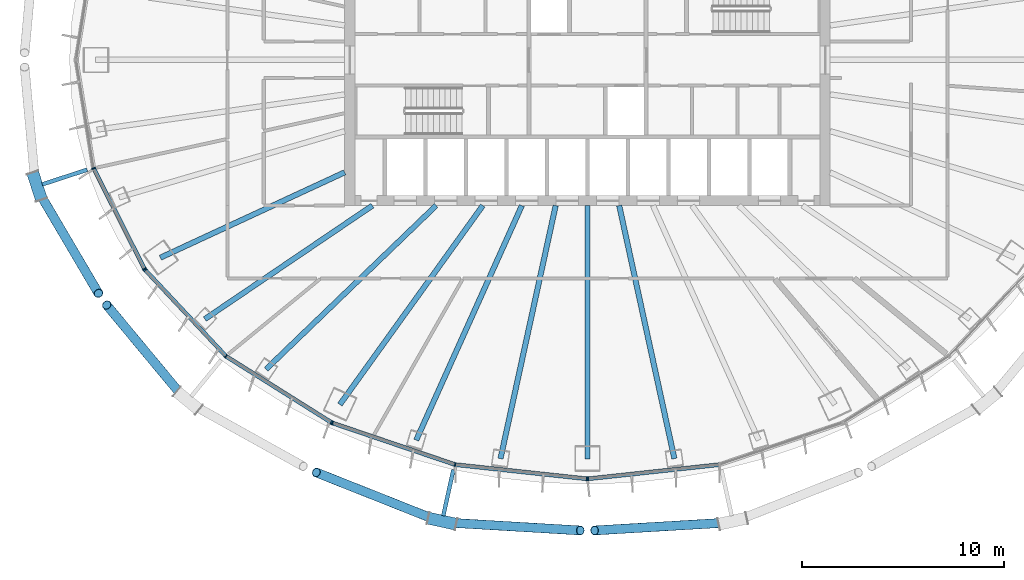
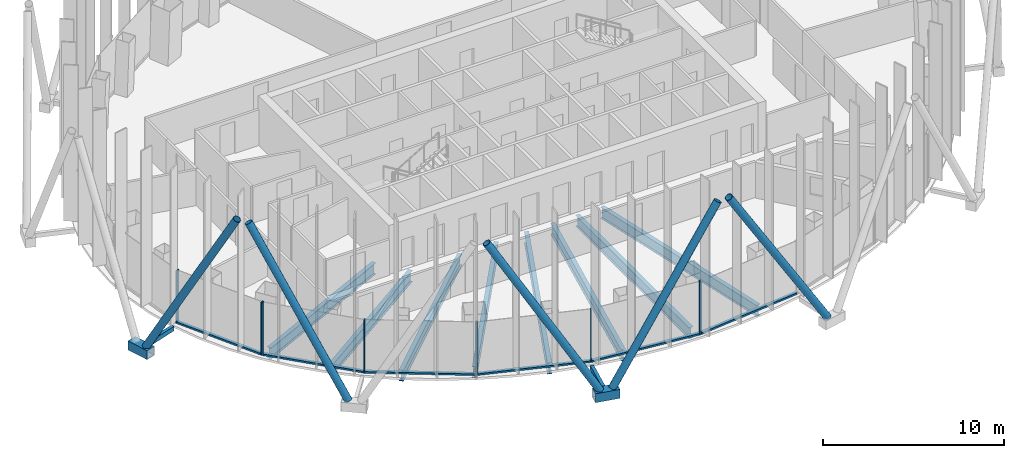
# One storey, part 2 of 19: 24 members, 8 beams, 4 elements without a shape of their own.
"""IFC4 building model written with IfcOpenShell, lengths in metres."""

from ifc_helpers import new_model, si_unit, direction, frame, origin, origin_2d, place, context, subcontext, project, spatial, rectangle, hollow_rectangle, hollow_circle, i_section, extrude, material, layer, layer_set, material_profile, profile_set, type_object, element, aggregate, save


model = new_model("IFC4")

# Units and contexts
model_context = context("Model", 3, precision=1e-05, world=origin(), true_north=direction((0.0, 1.0)))
body_context = subcontext(model_context, "Body", "Model", "MODEL_VIEW")
ifc_project = project(units=[si_unit("LENGTHUNIT", "METRE"), si_unit("AREAUNIT", "SQUARE_METRE"), si_unit("VOLUMEUNIT", "CUBIC_METRE"), si_unit("PLANEANGLEUNIT", "RADIAN"), si_unit("MASSUNIT", "GRAM", prefix="KILO")], contexts=[model_context])

# Site, building, storey
site_placement = place(None, origin())
site = spatial("IfcSite", under=ifc_project, at=site_placement, CompositionType="ELEMENT")
building_placement = place(site_placement, origin())
building = spatial("IfcBuilding", under=site, at=building_placement, Name="Siaravel Broadcast Tower", CompositionType="ELEMENT")
storey_placement = place(building_placement, frame((0.0, 0.0, 119.300048828125)))
storey = spatial("IfcBuildingStorey", under=building, at=storey_placement, Name="L28", CompositionType="ELEMENT", Elevation=119.300048828125)

# Beams
ifc_material_1 = material(Name="Steel S355", Category="steel")
ifc_material_profile_1 = material_profile(ifc_material_1, i_section(OverallWidth=0.26513671875, OverallDepth=0.75390625, WebThickness=0.0126953125, FlangeThickness=0.017578125, FilletRadius=0.0166015625, at=origin_2d()))
ifc_profile_set_1 = profile_set([ifc_material_profile_1], Name="Steel S355")
beam_type = type_object("IfcBeamType", Name="BM-UB 762x267x147", PredefinedType="BEAM", material=ifc_profile_set_1)
beam_1_placement = place(storey_placement, frame((-21.109375, -9.7744140625, -0.527099609375), z_axis=(0.907439776, 0.420182167, 0.0), x_axis=(-0.420182167, 0.907439776, 0.0)))
element("IfcBeam", 1, at=beam_1_placement, inside=storey, type_object=beam_type, Name="Radial beam RB22", PredefinedType="BEAM", context=body_context, shape_type="SweptSolid", body=[
    extrude(i_section(OverallWidth=0.26513671875, OverallDepth=0.75390625, WebThickness=0.0126953125, FlangeThickness=0.017578125, FilletRadius=0.0166015625, at=origin_2d()), origin(), (0.0, 0.0, 1.0), 10.03857421875),
])
beam_2_placement = place(storey_placement, frame((-18.90869140625, -12.80810546875, -0.527099609375), z_axis=(0.827929661, 0.56083195, 0.0), x_axis=(-0.56083195, 0.827929661, 0.0)))
element("IfcBeam", 2, at=beam_2_placement, inside=storey, type_object=beam_type, Name="Radial beam RB23", PredefinedType="BEAM", context=body_context, shape_type="SweptSolid", body=[
    extrude(i_section(OverallWidth=0.26513671875, OverallDepth=0.75390625, WebThickness=0.0126953125, FlangeThickness=0.017578125, FilletRadius=0.0166015625, at=origin_2d()), origin(), (0.0, 0.0, 1.0), 9.999755859375),
])
beam_3_placement = place(storey_placement, frame((-15.882080078125, -15.286865234375, -0.527099609375), z_axis=(0.720471293, 0.693484762, 0.0), x_axis=(-0.693484762, 0.720471293, 0.0)))
element("IfcBeam", 3, at=beam_3_placement, inside=storey, type_object=beam_type, Name="Radial beam RB24", PredefinedType="BEAM", context=body_context, shape_type="SweptSolid", body=[
    extrude(i_section(OverallWidth=0.26513671875, OverallDepth=0.75390625, WebThickness=0.0126953125, FlangeThickness=0.017578125, FilletRadius=0.0166015625, at=origin_2d()), origin(), (0.0, 0.0, 1.0), 11.661376953125),
])
beam_4_placement = place(storey_placement, frame((-12.236328125, -17.032958984375, -0.527099609375), z_axis=(0.583444902, 0.812152723, 0.0), x_axis=(-0.812152723, 0.583444902, 0.0)))
element("IfcBeam", 4, at=beam_4_placement, inside=storey, type_object=beam_type, Name="Radial beam RB25", PredefinedType="BEAM", context=body_context, shape_type="SweptSolid", body=[
    extrude(i_section(OverallWidth=0.26513671875, OverallDepth=0.75390625, WebThickness=0.0126953125, FlangeThickness=0.017578125, FilletRadius=0.0166015625, at=origin_2d()), origin(), (0.0, 0.0, 1.0), 12.107421875),
])
beam_5_placement = place(storey_placement, frame((-8.46337890625, -18.794189453125, -0.527099609375), z_axis=(0.410612147, 0.911810103, 0.0), x_axis=(-0.911810103, 0.410612147, 0.0)))
element("IfcBeam", 5, at=beam_5_placement, inside=storey, type_object=beam_type, Name="Radial beam RB26", PredefinedType="BEAM", context=body_context, shape_type="SweptSolid", body=[
    extrude(i_section(OverallWidth=0.26513671875, OverallDepth=0.75390625, WebThickness=0.0126953125, FlangeThickness=0.017578125, FilletRadius=0.0166015625, at=origin_2d()), origin(), (0.0, 0.0, 1.0), 12.715576171875),
])
beam_6_placement = place(storey_placement, frame((-4.298583984375, -19.708251953125, -0.527099609375), z_axis=(0.213106507, 0.977028974, 0.0), x_axis=(-0.977028974, 0.213106507, 0.0)))
element("IfcBeam", 6, at=beam_6_placement, inside=storey, type_object=beam_type, Name="Radial beam RB27", PredefinedType="BEAM", context=body_context, shape_type="SweptSolid", body=[
    extrude(i_section(OverallWidth=0.26513671875, OverallDepth=0.75390625, WebThickness=0.0126953125, FlangeThickness=0.017578125, FilletRadius=0.0166015625, at=origin_2d()), origin(), (0.0, 0.0, 1.0), 12.802490234375),
])
beam_7_placement = place(storey_placement, frame((0.0, -19.71630859375, -0.527099609375), z_axis=(0.0, 1.0, 0.0), x_axis=(-1.0, 0.0, 0.0)))
element("IfcBeam", 7, at=beam_7_placement, inside=storey, type_object=beam_type, Name="Radial beam RB28", PredefinedType="BEAM", context=body_context, shape_type="SweptSolid", body=[
    extrude(i_section(OverallWidth=0.26513671875, OverallDepth=0.75390625, WebThickness=0.0126953125, FlangeThickness=0.017578125, FilletRadius=0.0166015625, at=origin_2d()), origin(), (0.0, 0.0, 1.0), 12.516357421875),
])
beam_8_placement = place(storey_placement, frame((4.298583984375, -19.708251953125, -0.527099609375), z_axis=(-0.213106507, 0.977028974, 0.0), x_axis=(-0.977028974, -0.213106507, 0.0)))
element("IfcBeam", 8, at=beam_8_placement, inside=storey, type_object=beam_type, Name="Radial beam RB29", PredefinedType="BEAM", context=body_context, shape_type="SweptSolid", body=[
    extrude(i_section(OverallWidth=0.26513671875, OverallDepth=0.75390625, WebThickness=0.0126953125, FlangeThickness=0.017578125, FilletRadius=0.0166015625, at=origin_2d()), origin(), (0.0, 0.0, 1.0), 12.802490234375),
])

# Curtain wall, members
ifc_material_2 = material(Name="Aluminium 6063-T6", Category="aluminium")
ifc_layer = layer(ifc_material_2, 0.199951171875)
ifc_layer_set = layer_set([ifc_layer], Name="Aluminium 6063-T6")
curtain_wall_type = type_object("IfcCurtainWallType", Name="Unitised curtain wall, zone 2", PredefinedType="NOTDEFINED", material=ifc_layer_set)
curtain_wall_1_placement = place(storey_placement, origin())
curtain_wall_1 = element("IfcCurtainWall", 9, at=curtain_wall_1_placement, inside=storey, type_object=curtain_wall_type, Name="L28 Unitised curtain wall, zone 2 07", PredefinedType="NOTDEFINED")
ifc_material_profile_2 = material_profile(ifc_material_2, rectangle(XDim=0.199951171875, YDim=0.06494140625, at=origin_2d()))
ifc_profile_set_2 = profile_set([ifc_material_profile_2], Name="Aluminium 6063-T6")
member_type_1 = type_object("IfcMemberType", Name="CW-Z2 mullion", PredefinedType="MULLION", material=ifc_profile_set_2)
member_1_placement = place(storey_placement, frame((-24.4091796875, -5.362548828125, 0.0), z_axis=(0.0, 0.0, 1.0), x_axis=(0.951177162, 0.308645439, 0.0)))
member_1 = element("IfcMember", 10, at=member_1_placement, type_object=member_type_1, Name="CW-Z2 mullion 2", PredefinedType="MULLION", context=body_context, shape_type="SweptSolid", body=[
    extrude(rectangle(XDim=0.199951171875, YDim=0.06494140625, at=origin_2d()), origin(), (0.0, 0.0, 1.0), 3.550048828125),
])
member_2_placement = place(storey_placement, frame((-21.897705078125, -10.329345703125, 0.0), z_axis=(0.0, 0.0, 1.0), x_axis=(0.892391979, 0.451261073, 0.0)))
member_2 = element("IfcMember", 11, at=member_2_placement, type_object=member_type_1, Name="CW-Z2 mullion 3", PredefinedType="MULLION", context=body_context, shape_type="SweptSolid", body=[
    extrude(rectangle(XDim=0.199951171875, YDim=0.06494140625, at=origin_2d()), origin(), (0.0, 0.0, 1.0), 3.550048828125),
])

curtain_wall_2_placement = place(storey_placement, origin())
curtain_wall_2 = element("IfcCurtainWall", 12, at=curtain_wall_2_placement, inside=storey, type_object=curtain_wall_type, Name="L28 Unitised curtain wall, zone 2 08", PredefinedType="NOTDEFINED")
member_3_placement = place(storey_placement, frame((-21.86083984375, -10.382080078125, 0.0), z_axis=(0.0, 0.0, 1.0), x_axis=(0.729805105, 0.683655256, 0.0)))
member_3 = element("IfcMember", 13, at=member_3_placement, type_object=member_type_1, Name="CW-Z2 mullion 1", PredefinedType="MULLION", context=body_context, shape_type="SweptSolid", body=[
    extrude(rectangle(XDim=0.199951171875, YDim=0.06494140625, at=origin_2d()), origin(), (0.0, 0.0, 1.0), 3.550048828125),
])
member_4_placement = place(storey_placement, frame((-17.86572265625, -14.646728515625, 0.0), z_axis=(0.0, 0.0, 1.0), x_axis=(0.636218518, 0.771508909, 0.0)))
member_4 = element("IfcMember", 14, at=member_4_placement, type_object=member_type_1, Name="CW-Z2 mullion 2", PredefinedType="MULLION", context=body_context, shape_type="SweptSolid", body=[
    extrude(rectangle(XDim=0.199951171875, YDim=0.06494140625, at=origin_2d()), origin(), (0.0, 0.0, 1.0), 3.550048828125),
])
member_5_placement = place(storey_placement, frame((-12.659423828125, -17.9189453125, 0.0), z_axis=(0.0, 0.0, 1.0), x_axis=(0.532149141, 0.846650632, 0.0)))
member_5 = element("IfcMember", 15, at=member_5_placement, type_object=member_type_1, Name="CW-Z2 mullion 3", PredefinedType="MULLION", context=body_context, shape_type="SweptSolid", body=[
    extrude(rectangle(XDim=0.199951171875, YDim=0.06494140625, at=origin_2d()), origin(), (0.0, 0.0, 1.0), 3.550048828125),
])

curtain_wall_3_placement = place(storey_placement, origin())
curtain_wall_3 = element("IfcCurtainWall", 16, at=curtain_wall_3_placement, inside=storey, type_object=curtain_wall_type, Name="L28 Unitised curtain wall, zone 2 09", PredefinedType="NOTDEFINED")
member_6_placement = place(storey_placement, frame((-12.60107421875, -17.94677734375, 0.0), z_axis=(0.0, 0.0, 1.0), x_axis=(0.321300596, 0.946977258, 0.0)))
member_6 = element("IfcMember", 17, at=member_6_placement, type_object=member_type_1, Name="CW-Z2 mullion 1", PredefinedType="MULLION", context=body_context, shape_type="SweptSolid", body=[
    extrude(rectangle(XDim=0.199951171875, YDim=0.06494140625, at=origin_2d()), origin(), (0.0, 0.0, 1.0), 3.550048828125),
])
member_7_placement = place(storey_placement, frame((-6.538330078125, -20.00390625, 0.0), z_axis=(0.0, 0.0, 1.0), x_axis=(0.215558052, 0.976491027, 0.0)))
member_7 = element("IfcMember", 18, at=member_7_placement, type_object=member_type_1, Name="CW-Z2 mullion 2", PredefinedType="MULLION", context=body_context, shape_type="SweptSolid", body=[
    extrude(rectangle(XDim=0.199951171875, YDim=0.06494140625, at=origin_2d()), origin(), (0.0, 0.0, 1.0), 3.550048828125),
])
member_8_placement = place(storey_placement, frame((-0.0322265625, -20.705322265625, 0.0), z_axis=(0.0, 0.0, 1.0), x_axis=(0.107217485, 0.994235591, 0.0)))
member_8 = element("IfcMember", 19, at=member_8_placement, type_object=member_type_1, Name="CW-Z2 mullion 3", PredefinedType="MULLION", context=body_context, shape_type="SweptSolid", body=[
    extrude(rectangle(XDim=0.199951171875, YDim=0.06494140625, at=origin_2d()), origin(), (0.0, 0.0, 1.0), 3.550048828125),
])

# Curtain wall, member
curtain_wall_4_placement = place(storey_placement, origin())
curtain_wall_4 = element("IfcCurtainWall", 20, at=curtain_wall_4_placement, inside=storey, type_object=curtain_wall_type, Name="L28 Unitised curtain wall, zone 2 10", PredefinedType="NOTDEFINED")
member_9_placement = place(storey_placement, frame((0.0322265625, -20.705322265625, 0.0), z_axis=(0.0, 0.0, 1.0), x_axis=(-0.107217485, 0.994235591, 0.0)))
member_9 = element("IfcMember", 21, at=member_9_placement, type_object=member_type_1, Name="CW-Z2 mullion 1", PredefinedType="MULLION", context=body_context, shape_type="SweptSolid", body=[
    extrude(rectangle(XDim=0.199951171875, YDim=0.06494140625, at=origin_2d()), origin(), (0.0, 0.0, 1.0), 3.550048828125),
])

# Member
ifc_material_profile_3 = material_profile(ifc_material_2, rectangle(XDim=0.199951171875, YDim=0.110107421875, at=origin_2d()))
ifc_profile_set_3 = profile_set([ifc_material_profile_3], Name="Aluminium 6063-T6")
member_type_2 = type_object("IfcMemberType", Name="CW-Z2 transom", PredefinedType="USERDEFINED", material=ifc_profile_set_3)
member_10_placement = place(storey_placement, frame((-24.39453125, -5.3916015625, 0.054931640625), z_axis=(0.451256879, -0.8923941, 0.0), x_axis=(0.8923941, 0.451256879, 0.0)))
member_10 = element("IfcMember", 22, at=member_10_placement, type_object=member_type_2, Name="CW-Z2 transom 2", ObjectType="TRANSOM", PredefinedType="USERDEFINED", context=body_context, shape_type="SweptSolid", body=[
    extrude(rectangle(XDim=0.199951171875, YDim=0.110107421875, at=origin_2d()), origin(), (0.0, 0.0, 1.0), 5.50048828125),
])

aggregate(curtain_wall_1, [member_1, member_2, member_10])

member_11_placement = place(storey_placement, frame((-21.83837890625, -10.40576171875, 0.054931640625), z_axis=(0.683640317, -0.729819099, 0.0), x_axis=(0.729819099, 0.683640317, 0.0)))
member_11 = element("IfcMember", 23, at=member_11_placement, type_object=member_type_2, Name="CW-Z2 transom 1", ObjectType="TRANSOM", PredefinedType="USERDEFINED", context=body_context, shape_type="SweptSolid", body=[
    extrude(rectangle(XDim=0.199951171875, YDim=0.110107421875, at=origin_2d()), origin(), (0.0, 0.0, 1.0), 5.778564453125),
])

member_12_placement = place(storey_placement, frame((-17.838134765625, -14.6640625, 0.054931640625), z_axis=(0.846658761, -0.532136207, 0.0), x_axis=(0.532136207, 0.846658761, 0.0)))
member_12 = element("IfcMember", 24, at=member_12_placement, type_object=member_type_2, Name="CW-Z2 transom 2", ObjectType="TRANSOM", PredefinedType="USERDEFINED", context=body_context, shape_type="SweptSolid", body=[
    extrude(rectangle(XDim=0.199951171875, YDim=0.110107421875, at=origin_2d()), origin(), (0.0, 0.0, 1.0), 6.083984375),
])

aggregate(curtain_wall_2, [member_3, member_4, member_5, member_11, member_12])

member_13_placement = place(storey_placement, frame((-12.5703125, -17.957275390625, 0.054931640625), z_axis=(0.946978491, -0.321296962, 0.0), x_axis=(0.321296962, 0.946978491, 0.0)))
member_13 = element("IfcMember", 25, at=member_13_placement, type_object=member_type_2, Name="CW-Z2 transom 1", ObjectType="TRANSOM", PredefinedType="USERDEFINED", context=body_context, shape_type="SweptSolid", body=[
    extrude(rectangle(XDim=0.199951171875, YDim=0.110107421875, at=origin_2d()), origin(), (0.0, 0.0, 1.0), 6.337158203125),
])

member_14_placement = place(storey_placement, frame((-6.506103515625, -20.00732421875, 0.054931640625), z_axis=(0.994236504, -0.107209023, 0.0), x_axis=(0.107209023, 0.994236504, 0.0)))
member_14 = element("IfcMember", 26, at=member_14_placement, type_object=member_type_2, Name="CW-Z2 transom 2", ObjectType="TRANSOM", PredefinedType="USERDEFINED", context=body_context, shape_type="SweptSolid", body=[
    extrude(rectangle(XDim=0.199951171875, YDim=0.110107421875, at=origin_2d()), origin(), (0.0, 0.0, 1.0), 6.478759765625),
])

aggregate(curtain_wall_3, [member_6, member_7, member_8, member_13, member_14])

member_15_placement = place(storey_placement, frame((0.064697265625, -20.701904296875, 0.054931640625), z_axis=(0.994236504, 0.107209023, 0.0), x_axis=(-0.107209023, 0.994236504, 0.0)))
member_15 = element("IfcMember", 27, at=member_15_placement, type_object=member_type_2, Name="CW-Z2 transom 1", ObjectType="TRANSOM", PredefinedType="USERDEFINED", context=body_context, shape_type="SweptSolid", body=[
    extrude(rectangle(XDim=0.199951171875, YDim=0.110107421875, at=origin_2d()), origin(), (0.0, 0.0, 1.0), 6.478759765625),
])

aggregate(curtain_wall_4, [member_9, member_15])

# Members
ifc_material_3 = material(Name="Steel S460", Category="steel")
ifc_material_profile_4 = material_profile(ifc_material_3, hollow_circle(Radius=0.228515625, WallThickness=0.02001953125, at=origin_2d()))
ifc_profile_set_4 = profile_set([ifc_material_profile_4], Name="Steel S460")
member_type_3 = type_object("IfcMemberType", Name="Diagrid diagonal CHS 457x20", PredefinedType="BRACE", material=ifc_profile_set_4)
member_16_placement = place(storey_placement, frame((-27.0947265625, -6.570556640625, 0.070068359375), z_axis=(0.243110195, -0.413049923, 0.877660067), x_axis=(0.861806851, 0.507236583, 0.0)))
element("IfcMember", 28, at=member_16_placement, inside=storey, type_object=member_type_3, Name="Diagrid diagonal R12 station 39A", PredefinedType="BRACE", context=body_context, shape_type="SweptSolid", body=[
    extrude(hollow_circle(Radius=0.228515625, WallThickness=0.02001953125, at=origin_2d()), origin(), (0.0, 0.0, 1.0), 12.03173828125),
])
member_17_placement = place(storey_placement, frame((-20.02490234375, -16.619384765625, 0.070068359375), z_axis=(-0.309745387, 0.373093666, 0.874562126), x_axis=(-0.769402538, -0.638764225, 0.0)))
element("IfcMember", 29, at=member_17_placement, inside=storey, type_object=member_type_3, Name="Diagrid diagonal R12 station 45C", PredefinedType="BRACE", context=body_context, shape_type="SweptSolid", body=[
    extrude(hollow_circle(Radius=0.228515625, WallThickness=0.02001953125, at=origin_2d()), origin(), (0.0, 0.0, 1.0), 12.074462890625),
])
member_18_placement = place(storey_placement, frame((-7.527587890625, -22.72314453125, 0.070068359375), z_axis=(-0.477496257, 0.189415577, 0.857973813), x_axis=(-0.368732724, -0.929535464, 0.0)))
element("IfcMember", 30, at=member_18_placement, inside=storey, type_object=member_type_3, Name="Diagrid diagonal R12 station 51C", PredefinedType="BRACE", context=body_context, shape_type="SweptSolid", body=[
    extrude(hollow_circle(Radius=0.228515625, WallThickness=0.02001953125, at=origin_2d()), origin(), (0.0, 0.0, 1.0), 12.307861328125),
])
for number, where, z_axis, x_axis, name in (
    (31, (-6.84130859375, -22.873779296875, 0.070068359375), (0.523355869, -0.031047369, 0.85154841), (0.059219514, 0.998244985, 0.0), "Diagrid diagonal R12 station 51A"),
    (32, (6.84130859375, -22.873779296875, 0.070068359375), (-0.523355869, -0.031047369, 0.85154841), (0.059219514, -0.998244985, 0.0), "Diagrid diagonal R12 station 57C"),
):
    element("IfcMember", number, at=place(storey_placement, frame(where, z_axis=z_axis, x_axis=x_axis)), inside=storey, type_object=member_type_3, Name=name, PredefinedType="BRACE", context=body_context, shape_type="SweptSolid", body=[
        extrude(hollow_circle(Radius=0.228515625, WallThickness=0.02001953125, at=origin_2d()), origin(), (0.0, 0.0, 1.0), 12.400634765625),
    ])
ifc_material_profile_5 = material_profile(ifc_material_3, hollow_rectangle(XDim=0.60009765625, YDim=0.60009765625, WallThickness=0.0400390625, at=origin_2d()))
ifc_profile_set_5 = profile_set([ifc_material_profile_5], Name="Steel S460")
member_type_4 = type_object("IfcMemberType", Name="Diagrid node BOX 600x600x40", PredefinedType="USERDEFINED", material=ifc_profile_set_5)
for number, where, z_axis, x_axis, name in (
    (33, (-27.421630859375, -5.571533203125, -0.199951171875), (0.310990364, -0.950413065, 0.0), (0.950413065, 0.310990364, 0.0), "Diagrid node R12 station 39"),
    (34, (-7.8681640625, -22.6484375, -0.199951171875), (0.976754142, -0.21436265, 0.0), (0.21436265, 0.976754142, 0.0), "Diagrid node R12 station 51"),
):
    element("IfcMember", number, at=place(storey_placement, frame(where, z_axis=z_axis, x_axis=x_axis)), inside=storey, type_object=member_type_4, Name=name, ObjectType="DIAGRID NODE", PredefinedType="USERDEFINED", context=body_context, shape_type="SweptSolid", body=[
        extrude(hollow_rectangle(XDim=0.60009765625, YDim=0.60009765625, WallThickness=0.0400390625, at=origin_2d()), origin(), (0.0, 0.0, 1.0), 1.399658203125),
    ])
ifc_material_profile_6 = material_profile(ifc_material_3, hollow_rectangle(XDim=0.199951171875, YDim=0.300048828125, WallThickness=0.012451171875, at=origin_2d()))
ifc_profile_set_6 = profile_set([ifc_material_profile_6], Name="Steel S460")
member_type_5 = type_object("IfcMemberType", Name="Diagrid node arm RHS 300x200x12.5", PredefinedType="STRUT", material=ifc_profile_set_6)
member_19_placement = place(storey_placement, frame((-24.73291015625, -5.428466796875, -0.199951171875), z_axis=(-0.950449489, -0.310879025, 0.0), x_axis=(0.310879025, -0.950449489, 0.0)))
element("IfcMember", 35, at=member_19_placement, inside=storey, type_object=member_type_5, Name="Node arm R12 station 39", PredefinedType="STRUT", context=body_context, shape_type="SweptSolid", body=[
    extrude(hollow_rectangle(XDim=0.199951171875, YDim=0.300048828125, WallThickness=0.012451171875, at=origin_2d()), origin(), (0.0, 0.0, 1.0), 2.330078125),
])
member_20_placement = place(storey_placement, frame((-6.627197265625, -20.2587890625, -0.199951171875), z_axis=(-0.2143561, -0.97675558, 0.0), x_axis=(0.97675558, -0.2143561, 0.0)))
element("IfcMember", 36, at=member_20_placement, inside=storey, type_object=member_type_5, Name="Node arm R12 station 51", PredefinedType="STRUT", context=body_context, shape_type="SweptSolid", body=[
    extrude(hollow_rectangle(XDim=0.199951171875, YDim=0.300048828125, WallThickness=0.012451171875, at=origin_2d()), origin(), (0.0, 0.0, 1.0), 2.330322265625),
])

save(model, "model.ifc")
